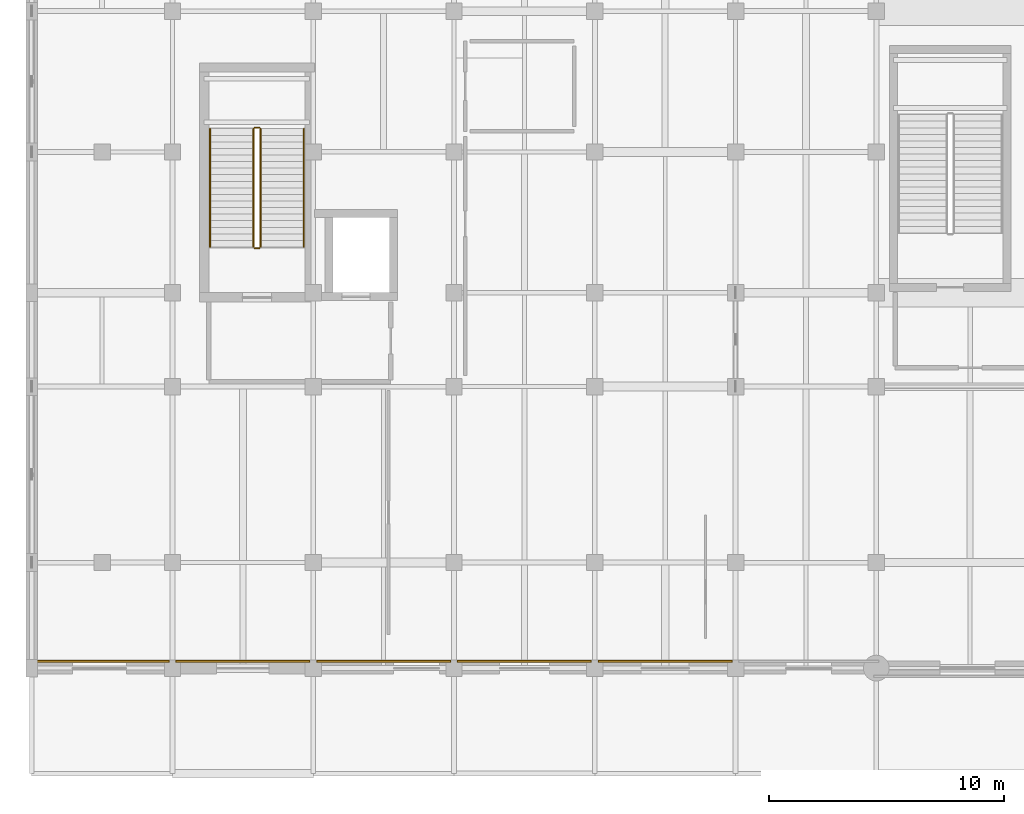
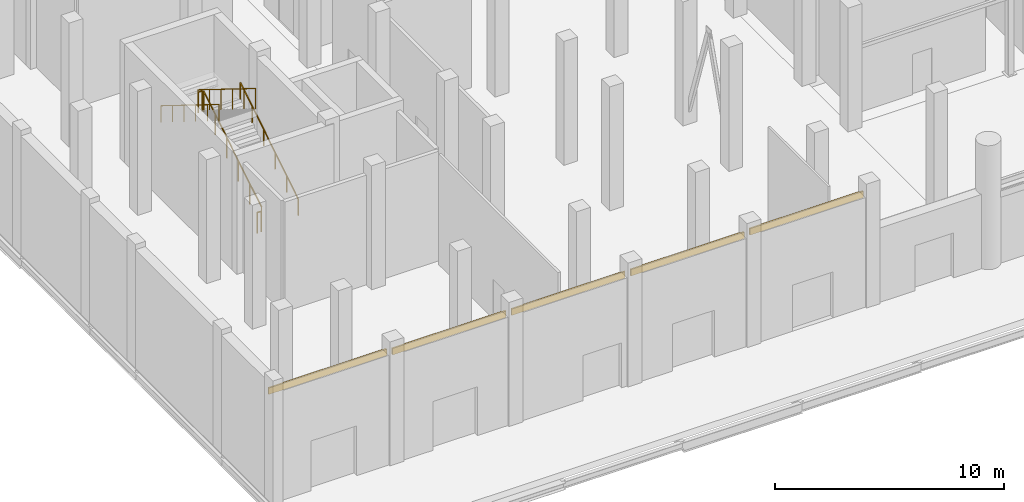
# One storey, part 129 of 140: 6 railings, 5 coverings.
"""IFC4 building model written with IfcOpenShell, lengths in metres."""

from ifc_helpers import new_model, si_unit, direction, frame, origin, origin_2d, place, context, subcontext, project, spatial, rectangle, circle, extrude, material, layer, layer_set, type_object, element, save


model = new_model("IFC4")

# Units and contexts
model_context = context("Model", 3, precision=1e-05, world=origin(), true_north=direction((0.0, 1.0)))
body_context = subcontext(model_context, "Body", "Model", "MODEL_VIEW")
ifc_project = project(units=[si_unit("LENGTHUNIT", "METRE"), si_unit("AREAUNIT", "SQUARE_METRE"), si_unit("VOLUMEUNIT", "CUBIC_METRE"), si_unit("PLANEANGLEUNIT", "RADIAN"), si_unit("MASSUNIT", "GRAM", prefix="KILO")], contexts=[model_context])

# Site, building, storey
site_placement = place(None, origin())
site = spatial("IfcSite", under=ifc_project, at=site_placement, CompositionType="ELEMENT")
building_placement = place(site_placement, origin())
building = spatial("IfcBuilding", under=site, at=building_placement, Name="Verrall Gate Interchange", CompositionType="ELEMENT")
storey_placement = place(building_placement, origin())
storey = spatial("IfcBuildingStorey", under=building, at=storey_placement, Name="L01", CompositionType="ELEMENT", Elevation=0.0)

# Coverings
ifc_material_1 = material(Name="Tyndall Dolomitic Limestone Ashlar Cavity Assembly (U=0.18)", Category="masonry")
ifc_layer = layer(ifc_material_1, 0.080078125)
ifc_layer_set = layer_set([ifc_layer], Name="Tyndall Dolomitic Limestone Ashlar Cavity Assembly (U=0.18)")
covering_type = type_object("IfcCoveringType", Name="CLD-01 Tyndall Cornice Cladding Band", PredefinedType="CLADDING", material=ifc_layer_set)
for number, where, z_axis, x_axis, name in (
    (1, (27.0, 0.300048828125, 5.44677734375), (0.0, 0.0, 1.0), (-1.0, 0.0, 0.0), "Classical Tyndall Cornice Band 002"),
    (2, (21.0, 0.300048828125, 5.37109375), (0.0, 0.0, 1.0), (-1.0, 0.0, 0.0), "Classical Tyndall Cornice Band 003"),
    (3, (15.0, 0.300048828125, 5.37109375), (0.0, 0.0, 1.0), (-1.0, 0.0, 0.0), "Classical Tyndall Cornice Band 004"),
    (4, (9.0, 0.300048828125, 5.37109375), (0.0, 0.0, 1.0), (-1.0, 0.0, 0.0), "Classical Tyndall Cornice Band 005"),
):
    element("IfcCovering", number, at=place(storey_placement, frame(where, z_axis=z_axis, x_axis=x_axis)), inside=storey, type_object=covering_type, Name=name, PredefinedType="CLADDING", context=body_context, shape_type="SweptSolid", body=[
        extrude(rectangle(XDim=5.716064453125, YDim=0.080078125, at=origin_2d()), origin(), (0.0, 0.0, 1.0), 0.340087890625),
    ])
covering_placement = place(storey_placement, frame((2.87890625, 0.300048828125, 5.44677734375), z_axis=(0.0, 0.0, 1.0), x_axis=(-1.0, 0.0, 0.0)))
element("IfcCovering", 5, at=covering_placement, inside=storey, type_object=covering_type, Name="Classical Tyndall Cornice Band 006", PredefinedType="CLADDING", context=body_context, shape_type="SweptSolid", body=[
    extrude(rectangle(XDim=5.9580078125, YDim=0.080078125, at=origin_2d()), origin(), (0.0, 0.0, 1.0), 0.340087890625),
])

# Railings
ifc_material_2 = material(Name="Brushed Stainless-Steel Guardrail and Handrail System", Category="steel")
railing_type_1 = type_object("IfcRailingType", Name="GR-02 Interior Atrium and Stair Guardrail 1100", PredefinedType="GUARDRAIL", material=ifc_material_2)
railing_1_placement = place(storey_placement, frame((9.75, 17.949951171875, 0.173583984375)))
element("IfcRailing", 6, at=railing_1_placement, inside=storey, type_object=railing_type_1, Name="L01 ST-01 stair guard 1", PredefinedType="GUARDRAIL", context=body_context, shape_type="SweptSolid", body=[
    extrude(circle(Radius=0.02392578125, at=origin_2d()), frame((0.0, 0.0, 1.076171875), z_axis=(0.0, 0.849778785312, 0.527139465448), x_axis=(-1.0, 0.0, 0.0)), (0.0, 0.0, 1.0), 5.930908203125),
    extrude(circle(Radius=0.02099609375, at=origin_2d()), origin(), (0.0, 0.0, 1.0), 1.052001953125),
    extrude(circle(Radius=0.02099609375, at=origin_2d()), frame((0.0, 1.008056640625, 0.625244140625)), (0.0, 0.0, 1.0), 1.052001953125),
    extrude(circle(Radius=0.02099609375, at=origin_2d()), frame((0.0, 2.01611328125, 1.25048828125)), (0.0, 0.0, 1.0), 1.052001953125),
    extrude(circle(Radius=0.02099609375, at=origin_2d()), frame((0.0, 3.02392578125, 1.8759765625)), (0.0, 0.0, 1.0), 1.052001953125),
    extrude(circle(Radius=0.02099609375, at=origin_2d()), frame((0.0, 4.031982421875, 2.501220703125)), (0.0, 0.0, 1.0), 1.052001953125),
    extrude(circle(Radius=0.02099609375, at=origin_2d()), frame((0.0, 5.0400390625, 3.12646484375)), (0.0, 0.0, 1.0), 1.052001953125),
])
railing_2_placement = place(storey_placement, frame((9.699951171875, 23.0400390625, 3.300048828125)))
element("IfcRailing", 7, at=railing_2_placement, inside=storey, type_object=railing_type_1, Name="L01 ST-01 stair guard 2", PredefinedType="GUARDRAIL", context=body_context, shape_type="SweptSolid", body=[
    extrude(circle(Radius=0.02392578125, at=origin_2d()), frame((0.0, 0.0, 1.076171875), z_axis=(-1.0, 0.0, 0.0), x_axis=(0.0, -1.0, 0.0)), (0.0, 0.0, 1.0), 0.199951171875),
    extrude(circle(Radius=0.02099609375, at=origin_2d()), origin(), (0.0, 0.0, 1.0), 1.052001953125),
    extrude(circle(Radius=0.02099609375, at=origin_2d()), frame((-0.199951171875, 0.0, 0.0)), (0.0, 0.0, 1.0), 1.052001953125),
])
railing_3_placement = place(storey_placement, frame((9.449951171875, 22.989990234375, 3.4736328125)))
element("IfcRailing", 8, at=railing_3_placement, inside=storey, type_object=railing_type_1, Name="L01 ST-01 stair guard 3", PredefinedType="GUARDRAIL", context=body_context, shape_type="SweptSolid", body=[
    extrude(circle(Radius=0.02392578125, at=origin_2d()), frame((0.0, 0.0, 1.076171875), z_axis=(0.0, -0.849778785312, 0.527139465448), x_axis=(1.0, 0.0, 0.0)), (0.0, 0.0, 1.0), 5.930908203125),
    extrude(circle(Radius=0.02099609375, at=origin_2d()), origin(), (0.0, 0.0, 1.0), 1.052001953125),
    extrude(circle(Radius=0.02099609375, at=origin_2d()), frame((0.0, -1.008056640625, 0.625244140625)), (0.0, 0.0, 1.0), 1.052001953125),
    extrude(circle(Radius=0.02099609375, at=origin_2d()), frame((0.0, -2.01611328125, 1.25048828125)), (0.0, 0.0, 1.0), 1.052001953125),
    extrude(circle(Radius=0.02099609375, at=origin_2d()), frame((0.0, -3.02392578125, 1.8759765625)), (0.0, 0.0, 1.0), 1.052001953125),
    extrude(circle(Radius=0.02099609375, at=origin_2d()), frame((0.0, -4.031982421875, 2.501220703125)), (0.0, 0.0, 1.0), 1.052001953125),
    extrude(circle(Radius=0.02099609375, at=origin_2d()), frame((0.0, -5.0400390625, 3.12646484375)), (0.0, 0.0, 1.0), 1.052001953125),
])
railing_4_placement = place(storey_placement, frame((9.699951171875, 17.89990234375, 0.0)))
element("IfcRailing", 9, at=railing_4_placement, inside=storey, type_object=railing_type_1, Name="L01 ST-01 stair guard 4", PredefinedType="GUARDRAIL", context=body_context, shape_type="SweptSolid", body=[
    extrude(circle(Radius=0.02392578125, at=origin_2d()), frame((0.0, 0.0, 1.076171875), z_axis=(-1.0, 0.0, 0.0), x_axis=(0.0, -1.0, 0.0)), (0.0, 0.0, 1.0), 0.199951171875),
    extrude(circle(Radius=0.02099609375, at=origin_2d()), origin(), (0.0, 0.0, 1.0), 1.052001953125),
    extrude(circle(Radius=0.02099609375, at=origin_2d()), frame((-0.199951171875, 0.0, 0.0)), (0.0, 0.0, 1.0), 1.052001953125),
])
ifc_material_3 = material(Name="Brushed Stainless-Steel Guardrail and Handrail System", Category="steel")
railing_type_2 = type_object("IfcRailingType", Name="HR-01 Stair and Ramp Pitch-Line Handrail 920", PredefinedType="HANDRAIL", material=ifc_material_3)
railing_5_placement = place(storey_placement, frame((11.60009765625, 17.949951171875, 0.173583984375)))
element("IfcRailing", 10, at=railing_5_placement, inside=storey, type_object=railing_type_2, Name="L01 ST-01 stair handrail 1", PredefinedType="HANDRAIL", context=body_context, shape_type="SweptSolid", body=[
    extrude(circle(Radius=0.02392578125, at=origin_2d()), frame((0.0, 0.0, 0.8759765625), z_axis=(0.0, 0.849778785312, 0.527139465448), x_axis=(-1.0, 0.0, 0.0)), (0.0, 0.0, 1.0), 5.930908203125),
    extrude(circle(Radius=0.02099609375, at=origin_2d()), origin(), (0.0, 0.0, 1.0), 0.851806640625),
    extrude(circle(Radius=0.02099609375, at=origin_2d()), frame((0.0, 1.008056640625, 0.625244140625)), (0.0, 0.0, 1.0), 0.851806640625),
    extrude(circle(Radius=0.02099609375, at=origin_2d()), frame((0.0, 2.01611328125, 1.25048828125)), (0.0, 0.0, 1.0), 0.851806640625),
    extrude(circle(Radius=0.02099609375, at=origin_2d()), frame((0.0, 3.02392578125, 1.8759765625)), (0.0, 0.0, 1.0), 0.851806640625),
    extrude(circle(Radius=0.02099609375, at=origin_2d()), frame((0.0, 4.031982421875, 2.501220703125)), (0.0, 0.0, 1.0), 0.851806640625),
    extrude(circle(Radius=0.02099609375, at=origin_2d()), frame((0.0, 5.0400390625, 3.12646484375)), (0.0, 0.0, 1.0), 0.851806640625),
])
railing_6_placement = place(storey_placement, frame((7.60009765625, 22.989990234375, 3.4736328125)))
element("IfcRailing", 11, at=railing_6_placement, inside=storey, type_object=railing_type_2, Name="L01 ST-01 stair handrail 2", PredefinedType="HANDRAIL", context=body_context, shape_type="SweptSolid", body=[
    extrude(circle(Radius=0.02392578125, at=origin_2d()), frame((0.0, 0.0, 0.8759765625), z_axis=(0.0, -0.849778785312, 0.527139465448), x_axis=(1.0, 0.0, 0.0)), (0.0, 0.0, 1.0), 5.930908203125),
    extrude(circle(Radius=0.02099609375, at=origin_2d()), origin(), (0.0, 0.0, 1.0), 0.851806640625),
    extrude(circle(Radius=0.02099609375, at=origin_2d()), frame((0.0, -1.008056640625, 0.625244140625)), (0.0, 0.0, 1.0), 0.851806640625),
    extrude(circle(Radius=0.02099609375, at=origin_2d()), frame((0.0, -2.01611328125, 1.25048828125)), (0.0, 0.0, 1.0), 0.851806640625),
    extrude(circle(Radius=0.02099609375, at=origin_2d()), frame((0.0, -3.02392578125, 1.8759765625)), (0.0, 0.0, 1.0), 0.851806640625),
    extrude(circle(Radius=0.02099609375, at=origin_2d()), frame((0.0, -4.031982421875, 2.501220703125)), (0.0, 0.0, 1.0), 0.851806640625),
    extrude(circle(Radius=0.02099609375, at=origin_2d()), frame((0.0, -5.0400390625, 3.12646484375)), (0.0, 0.0, 1.0), 0.851806640625),
])

save(model, "model.ifc")
